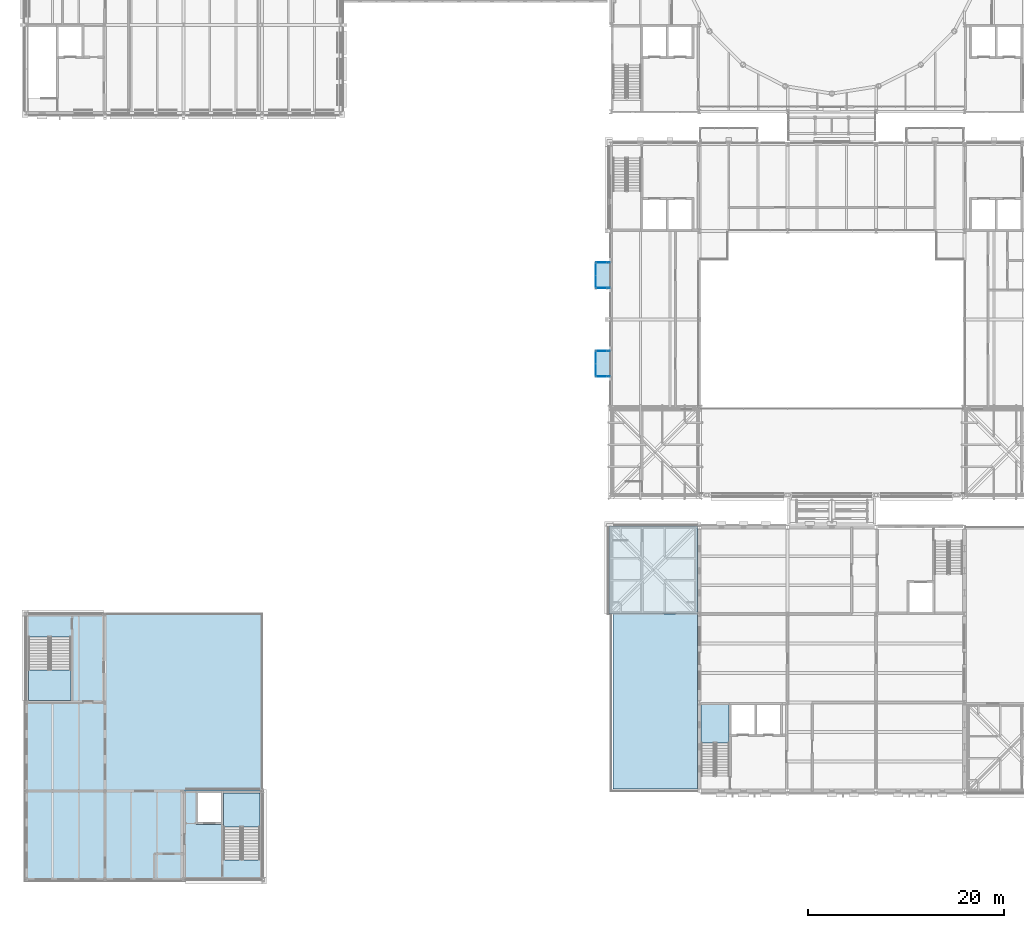
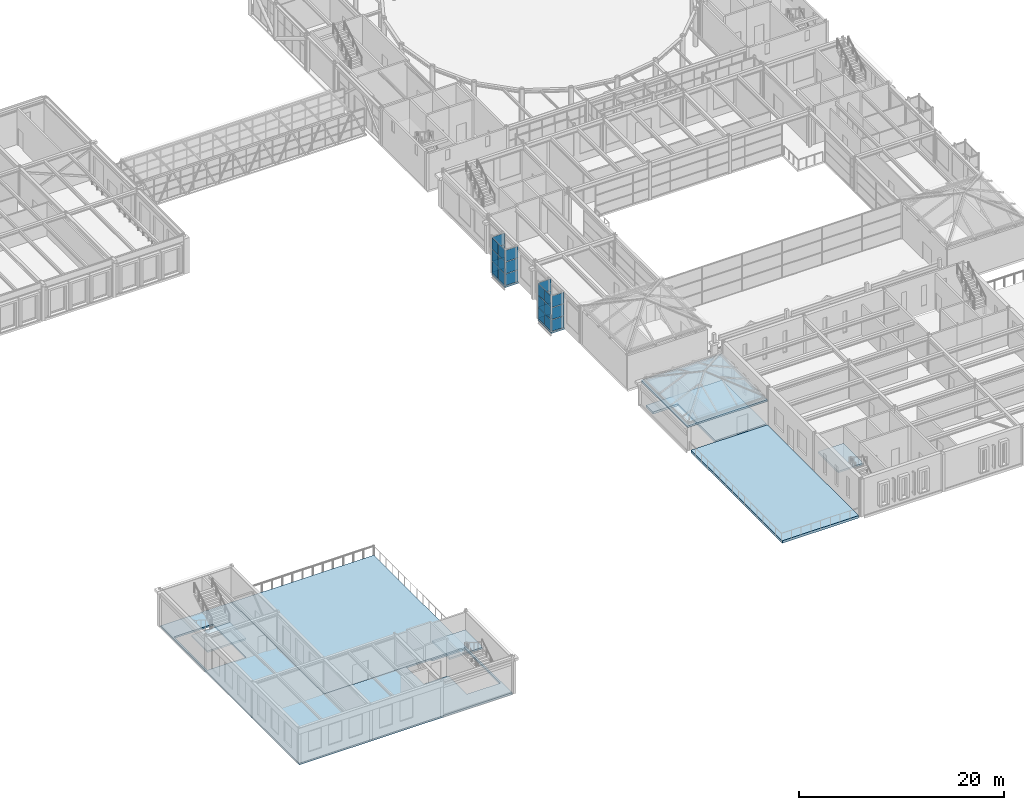
# One storey, part 76 of 149: 24 plates, 10 slabs, 9 elements without a shape of their own.
"""IFC4 building model written with IfcOpenShell, lengths in metres."""

from ifc_helpers import new_model, si_unit, direction, frame, origin, origin_2d, place, context, subcontext, project, spatial, polyline, rectangle, outline, extrude, material, layer, layer_set, type_object, element, aggregate, save


model = new_model("IFC4")

# Units and contexts
model_context = context("Model", 3, precision=1e-05, world=origin(), true_north=direction((0.0, 1.0)))
body_context = subcontext(model_context, "Body", "Model", "MODEL_VIEW")
ifc_project = project(units=[si_unit("LENGTHUNIT", "METRE"), si_unit("AREAUNIT", "SQUARE_METRE"), si_unit("VOLUMEUNIT", "CUBIC_METRE"), si_unit("PLANEANGLEUNIT", "RADIAN"), si_unit("MASSUNIT", "GRAM", prefix="KILO")], contexts=[model_context])

# Site, building, storey
site_placement = place(None, origin())
site = spatial("IfcSite", under=ifc_project, at=site_placement, CompositionType="ELEMENT")
building_placement = place(site_placement, origin())
building = spatial("IfcBuilding", under=site, at=building_placement, Name="Kallimachos Central Library", CompositionType="ELEMENT")
storey_placement = place(building_placement, frame((0.0, 0.0, 9.89990234375)))
storey = spatial("IfcBuildingStorey", under=building, at=storey_placement, Name="L02", CompositionType="ELEMENT", Elevation=9.89990234375)

# Slabs
ifc_material_1 = material(Name="Composite slab C30/37 on steel deck", Category="concrete")
ifc_layer_1 = layer(ifc_material_1, 0.199951171875)
ifc_layer_set_1 = layer_set([ifc_layer_1], Name="Composite floor slab 200")
slab_type_1 = type_object("IfcSlabType", Name="Composite floor slab 200", PredefinedType="FLOOR", material=ifc_layer_set_1)
slab_1_placement = place(storey_placement, frame((0.0, 0.0, -0.199951171875)))
element("IfcSlab", 1, at=slab_1_placement, inside=storey, type_object=slab_type_1, Name="V6-SLB-L02-001", PredefinedType="FLOOR", context=body_context, shape_type="SweptSolid", body=[
    extrude(outline(polyline([(23.25, 18.0), (23.25, 14.60009765625), (26.050048828125, 14.60009765625), (26.050048828125, 11.00390625), (29.800048828125, 11.00390625), (29.800048828125, 17.800048828125), (26.050048828125, 17.800048828125), (26.050048828125, 18.0), (30.0, 18.0), (30.0, 9.0), (6.0, 9.0), (6.0, 36.0), (14.0, 36.0), (14.0, 18.0), (23.25, 18.0)]), holes=[polyline([(10.550048828125, 33.696044921875), (6.199951171875, 33.696044921875), (6.199951171875, 27.199951171875), (10.550048828125, 27.199951171875), (10.550048828125, 33.696044921875)])]), origin(), (0.0, 0.0, 1.0), 0.199951171875),
])
ifc_material_2 = material(Name="Composite slab C30/37 on steel deck", Category="concrete")
ifc_layer_2 = layer(ifc_material_2, 0.25)
ifc_layer_set_2 = layer_set([ifc_layer_2], Name="Composite floor slab 250")
slab_type_2 = type_object("IfcSlabType", Name="Composite floor slab 250", PredefinedType="FLOOR", material=ifc_layer_set_2)
slab_2_placement = place(storey_placement, frame((0.0, 0.0, -0.25)))
element("IfcSlab", 2, at=slab_2_placement, inside=storey, type_object=slab_type_2, Name="V5-W arrival slab", PredefinedType="FLOOR", context=body_context, shape_type="SweptSolid", body=[
    extrude(outline(polyline([(65.699951171875, 44.800048828125), (74.300048828125, 44.800048828125), (74.300048828125, 36.199951171875), (68.550048828125, 36.199951171875), (68.550048828125, 43.446044921875), (65.699951171875, 43.446044921875), (65.699951171875, 44.800048828125)])), origin(), (0.0, 0.0, 1.0), 0.25),
])
ifc_material_3 = material(Name="Composite slab C30/37 on steel deck", Category="concrete")
ifc_layer_3 = layer(ifc_material_3, 0.199951171875)
ifc_layer_set_3 = layer_set([ifc_layer_3], Name="Head house roof slab 200")
slab_type_3 = type_object("IfcSlabType", Name="Head house roof slab 200", PredefinedType="ROOF", material=ifc_layer_set_3)
slab_3_placement = place(storey_placement, frame((0.0, 0.0, 2.800048828125)))
element("IfcSlab", 3, at=slab_3_placement, inside=storey, type_object=slab_type_3, Name="West stair head roof", PredefinedType="ROOF", context=body_context, shape_type="SweptSolid", body=[
    extrude(outline(polyline([(65.300048828125, 36.0), (74.300048828125, 36.0), (74.300048828125, 45.0), (65.300048828125, 45.0), (65.300048828125, 36.0)])), origin(), (0.0, 0.0, 1.0), 0.199951171875),
])
ifc_material_4 = material(Name="Composite slab C30/37 on steel deck", Category="concrete")
ifc_layer_4 = layer(ifc_material_4, 0.199951171875)
ifc_layer_set_4 = layer_set([ifc_layer_4], Name="Roof garden slab 200")
slab_type_4 = type_object("IfcSlabType", Name="Roof garden slab 200", PredefinedType="ROOF", material=ifc_layer_set_4)
slab_4_placement = place(storey_placement, frame((0.0, 0.0, -0.199951171875)))
element("IfcSlab", 4, at=slab_4_placement, inside=storey, type_object=slab_type_4, Name="Roof garden deck", PredefinedType="ROOF", context=body_context, shape_type="SweptSolid", body=[
    extrude(outline(polyline([(14.0, 18.0), (30.0, 18.0), (30.0, 36.0), (14.0, 36.0), (14.0, 18.0)])), origin(), (0.0, 0.0, 1.0), 0.199951171875),
])
ifc_material_5 = material(Name="Composite slab C30/37 on steel deck", Category="concrete")
ifc_layer_5 = layer(ifc_material_5, 0.300048828125)
ifc_layer_set_5 = layer_set([ifc_layer_5], Name="Roof garden slab 300")
slab_type_5 = type_object("IfcSlabType", Name="Roof garden slab 300", PredefinedType="ROOF", material=ifc_layer_set_5)
slab_5_placement = place(storey_placement, frame((0.0, 0.0, -0.2998046875)))
element("IfcSlab", 5, at=slab_5_placement, inside=storey, type_object=slab_type_5, Name="West roof garden slab", PredefinedType="ROOF", context=body_context, shape_type="SweptSolid", body=[
    extrude(outline(polyline([(65.699951171875, 18.199951171875), (74.300048828125, 18.199951171875), (74.300048828125, 36.0), (65.699951171875, 36.0), (65.699951171875, 18.199951171875)])), origin(), (0.0, 0.0, 1.0), 0.2998046875),
])

# Stair, slab
ifc_material_6 = material(Name="Concrete C30/37", Category="concrete")
stair_type_1 = type_object("IfcStairType", Name="Escape stair", PredefinedType="HALF_TURN_STAIR", material=ifc_material_6)
stair_1_placement = place(storey_placement, origin())
stair_1 = element("IfcStair", 6, at=stair_1_placement, inside=storey, type_object=stair_type_1, Name="L02 stair ST17", PredefinedType="HALF_TURN_STAIR")
ifc_material_7 = material(Name="Concrete C30/37", Category="concrete")
ifc_layer_6 = layer(ifc_material_7, 0.199951171875)
ifc_layer_set_6 = layer_set([ifc_layer_6], Name="Stair landing")
slab_type_6 = type_object("IfcSlabType", Name="Stair landing", PredefinedType="LANDING", material=ifc_layer_set_6)
slab_6_placement = place(storey_placement, frame((0.0, 0.0, 2.050048828125)))
slab_6 = element("IfcSlab", 7, at=slab_6_placement, type_object=slab_type_6, Name="ST17 landing 1", PredefinedType="LANDING", context=body_context, shape_type="SweptSolid", body=[
    extrude(outline(polyline([(29.800048828125, 14.360107421875), (29.800048828125, 17.800048828125), (26.050048828125, 17.800048828125), (26.050048828125, 14.360107421875), (29.800048828125, 14.360107421875)])), origin(), (0.0, 0.0, 1.0), 0.199951171875),
])
aggregate(stair_1, [slab_6])

stair_2_placement = place(storey_placement, origin())
stair_2 = element("IfcStair", 8, at=stair_2_placement, inside=storey, type_object=stair_type_1, Name="L02 stair ST18", PredefinedType="HALF_TURN_STAIR")
slab_7_placement = place(storey_placement, frame((0.0, 0.0, 2.050048828125)))
slab_7 = element("IfcSlab", 9, at=slab_7_placement, type_object=slab_type_6, Name="ST18 landing 1", PredefinedType="LANDING", context=body_context, shape_type="SweptSolid", body=[
    extrude(outline(polyline([(6.199951171875, 30.340087890625), (6.199951171875, 27.199951171875), (10.550048828125, 27.199951171875), (10.550048828125, 30.340087890625), (6.199951171875, 30.340087890625)])), origin(), (0.0, 0.0, 1.0), 0.199951171875),
])
aggregate(stair_2, [slab_7])

ifc_material_8 = material(Name="Concrete C30/37", Category="concrete")
stair_type_2 = type_object("IfcStairType", Name="Concrete stair 1350", PredefinedType="HALF_TURN_STAIR", material=ifc_material_8)
stair_3_placement = place(storey_placement, origin())
stair_3 = element("IfcStair", 10, at=stair_3_placement, inside=storey, type_object=stair_type_2, Name="L02 stair ST13", PredefinedType="HALF_TURN_STAIR")
ifc_material_9 = material(Name="Concrete C30/37", Category="concrete")
ifc_layer_7 = layer(ifc_material_9, 0.199951171875)
ifc_layer_set_7 = layer_set([ifc_layer_7], Name="Stair landing slab 200")
slab_type_7 = type_object("IfcSlabType", Name="Stair landing slab 200", PredefinedType="LANDING", material=ifc_layer_set_7)
slab_8_placement = place(storey_placement, frame((0.0, 0.0, 2.050048828125)))
slab_8 = element("IfcSlab", 11, at=slab_8_placement, type_object=slab_type_7, Name="ST13 landing 1", PredefinedType="LANDING", context=body_context, shape_type="SweptSolid", body=[
    extrude(outline(polyline([(77.550048828125, 22.909912109375), (77.550048828125, 26.800048828125), (74.699951171875, 26.800048828125), (74.699951171875, 22.909912109375), (77.550048828125, 22.909912109375)])), origin(), (0.0, 0.0, 1.0), 0.199951171875),
])
aggregate(stair_3, [slab_8])

# Slabs
ifc_material_10 = material(Name="Composite slab C30/37 on steel deck", Category="concrete")
ifc_layer_8 = layer(ifc_material_10, 0.199951171875)
ifc_layer_set_8 = layer_set([ifc_layer_8], Name="Tribune bay floor slab 200")
slab_type_8 = type_object("IfcSlabType", Name="Tribune bay floor slab 200", PredefinedType="FLOOR", material=ifc_layer_set_8)
slab_9_placement = place(storey_placement, frame((0.0, 0.0, -0.199951171875)))
element("IfcSlab", 12, at=slab_9_placement, inside=storey, type_object=slab_type_8, Name="Tribune bay W1 floor L02", PredefinedType="FLOOR", context=body_context, shape_type="SweptSolid", body=[
    extrude(outline(polyline([(65.449951171875, 60.199951171875), (65.449951171875, 62.800048828125), (63.949951171875, 62.800048828125), (63.949951171875, 60.199951171875), (65.449951171875, 60.199951171875)])), origin(), (0.0, 0.0, 1.0), 0.199951171875),
])
slab_10_placement = place(storey_placement, frame((0.0, 0.0, -0.199951171875)))
element("IfcSlab", 13, at=slab_10_placement, inside=storey, type_object=slab_type_8, Name="Tribune bay W2 floor L02", PredefinedType="FLOOR", context=body_context, shape_type="SweptSolid", body=[
    extrude(outline(polyline([(65.449951171875, 69.199951171875), (65.449951171875, 71.800048828125), (63.949951171875, 71.800048828125), (63.949951171875, 69.199951171875), (65.449951171875, 69.199951171875)])), origin(), (0.0, 0.0, 1.0), 0.199951171875),
])

# Curtain wall, plates
ifc_material_11 = material(Name="Aluminium and laminated glass", Category="aluminium")
curtain_wall_type = type_object("IfcCurtainWallType", Name="Tribune bay glazed screen", PredefinedType="NOTDEFINED", material=ifc_material_11)
curtain_wall_1_placement = place(storey_placement, origin())
curtain_wall_1 = element("IfcCurtainWall", 14, at=curtain_wall_1_placement, inside=storey, type_object=curtain_wall_type, Name="Tribune bay W1 L02 front", PredefinedType="NOTDEFINED")
ifc_material_12 = material(Name="Laminated glass", Category="glass")
ifc_layer_9 = layer(ifc_material_12, 0.028076171875)
ifc_layer_set_9 = layer_set([ifc_layer_9], Name="Tribune bay glass panel")
plate_type = type_object("IfcPlateType", Name="Tribune bay glass panel", PredefinedType="CURTAIN_PANEL", material=ifc_layer_set_9)
plate_1_placement = place(storey_placement, frame((63.949951171875, 60.864990234375, 0.06005859375), z_axis=(0.0, 0.0, 1.0), x_axis=(0.0, 1.0, 0.0)))
plate_1 = element("IfcPlate", 15, at=plate_1_placement, type_object=plate_type, Name="CW panel 1.1", PredefinedType="CURTAIN_PANEL", context=body_context, shape_type="SweptSolid", body=[
    extrude(rectangle(XDim=1.2099609375, YDim=0.028076171875, at=origin_2d()), origin(), (0.0, 0.0, 1.0), 1.34326171875),
])
plate_2_placement = place(storey_placement, frame((63.949951171875, 60.864990234375, 1.46337890625), z_axis=(0.0, 0.0, 1.0), x_axis=(0.0, 1.0, 0.0)))
plate_2 = element("IfcPlate", 16, at=plate_2_placement, type_object=plate_type, Name="CW panel 1.2", PredefinedType="CURTAIN_PANEL", context=body_context, shape_type="SweptSolid", body=[
    extrude(rectangle(XDim=1.2099609375, YDim=0.028076171875, at=origin_2d()), origin(), (0.0, 0.0, 1.0), 1.373291015625),
])
plate_3_placement = place(storey_placement, frame((63.949951171875, 60.864990234375, 2.896728515625), z_axis=(0.0, 0.0, 1.0), x_axis=(0.0, 1.0, 0.0)))
plate_3 = element("IfcPlate", 17, at=plate_3_placement, type_object=plate_type, Name="CW panel 1.3", PredefinedType="CURTAIN_PANEL", context=body_context, shape_type="SweptSolid", body=[
    extrude(rectangle(XDim=1.2099609375, YDim=0.028076171875, at=origin_2d()), origin(), (0.0, 0.0, 1.0), 1.34326171875),
])
plate_4_placement = place(storey_placement, frame((63.949951171875, 62.135009765625, 0.06005859375), z_axis=(0.0, 0.0, 1.0), x_axis=(0.0, 1.0, 0.0)))
plate_4 = element("IfcPlate", 18, at=plate_4_placement, type_object=plate_type, Name="CW panel 2.1", PredefinedType="CURTAIN_PANEL", context=body_context, shape_type="SweptSolid", body=[
    extrude(rectangle(XDim=1.2099609375, YDim=0.028076171875, at=origin_2d()), origin(), (0.0, 0.0, 1.0), 1.34326171875),
])
plate_5_placement = place(storey_placement, frame((63.949951171875, 62.135009765625, 1.46337890625), z_axis=(0.0, 0.0, 1.0), x_axis=(0.0, 1.0, 0.0)))
plate_5 = element("IfcPlate", 19, at=plate_5_placement, type_object=plate_type, Name="CW panel 2.2", PredefinedType="CURTAIN_PANEL", context=body_context, shape_type="SweptSolid", body=[
    extrude(rectangle(XDim=1.2099609375, YDim=0.028076171875, at=origin_2d()), origin(), (0.0, 0.0, 1.0), 1.373291015625),
])
plate_6_placement = place(storey_placement, frame((63.949951171875, 62.135009765625, 2.896728515625), z_axis=(0.0, 0.0, 1.0), x_axis=(0.0, 1.0, 0.0)))
plate_6 = element("IfcPlate", 20, at=plate_6_placement, type_object=plate_type, Name="CW panel 2.3", PredefinedType="CURTAIN_PANEL", context=body_context, shape_type="SweptSolid", body=[
    extrude(rectangle(XDim=1.2099609375, YDim=0.028076171875, at=origin_2d()), origin(), (0.0, 0.0, 1.0), 1.34326171875),
])
aggregate(curtain_wall_1, [plate_1, plate_2, plate_3, plate_4, plate_5, plate_6])

curtain_wall_2_placement = place(storey_placement, origin())
curtain_wall_2 = element("IfcCurtainWall", 21, at=curtain_wall_2_placement, inside=storey, type_object=curtain_wall_type, Name="Tribune bay W1 L02 return 1", PredefinedType="NOTDEFINED")
plate_7_placement = place(storey_placement, frame((64.699951171875, 60.199951171875, 0.06005859375), z_axis=(0.0, 0.0, 1.0), x_axis=(-1.0, 0.0, 0.0)))
plate_7 = element("IfcPlate", 22, at=plate_7_placement, type_object=plate_type, Name="CW panel 1.1", PredefinedType="CURTAIN_PANEL", context=body_context, shape_type="SweptSolid", body=[
    extrude(rectangle(XDim=1.3798828125, YDim=0.028076171875, at=origin_2d()), origin(), (0.0, 0.0, 1.0), 1.34326171875),
])
plate_8_placement = place(storey_placement, frame((64.699951171875, 60.199951171875, 1.46337890625), z_axis=(0.0, 0.0, 1.0), x_axis=(-1.0, 0.0, 0.0)))
plate_8 = element("IfcPlate", 23, at=plate_8_placement, type_object=plate_type, Name="CW panel 1.2", PredefinedType="CURTAIN_PANEL", context=body_context, shape_type="SweptSolid", body=[
    extrude(rectangle(XDim=1.3798828125, YDim=0.028076171875, at=origin_2d()), origin(), (0.0, 0.0, 1.0), 1.373291015625),
])
plate_9_placement = place(storey_placement, frame((64.699951171875, 60.199951171875, 2.896728515625), z_axis=(0.0, 0.0, 1.0), x_axis=(-1.0, 0.0, 0.0)))
plate_9 = element("IfcPlate", 24, at=plate_9_placement, type_object=plate_type, Name="CW panel 1.3", PredefinedType="CURTAIN_PANEL", context=body_context, shape_type="SweptSolid", body=[
    extrude(rectangle(XDim=1.3798828125, YDim=0.028076171875, at=origin_2d()), origin(), (0.0, 0.0, 1.0), 1.34326171875),
])
aggregate(curtain_wall_2, [plate_7, plate_8, plate_9])

curtain_wall_3_placement = place(storey_placement, origin())
curtain_wall_3 = element("IfcCurtainWall", 25, at=curtain_wall_3_placement, inside=storey, type_object=curtain_wall_type, Name="Tribune bay W1 L02 return 2", PredefinedType="NOTDEFINED")
plate_10_placement = place(storey_placement, frame((64.699951171875, 62.800048828125, 0.06005859375), z_axis=(0.0, 0.0, 1.0), x_axis=(-1.0, 0.0, 0.0)))
plate_10 = element("IfcPlate", 26, at=plate_10_placement, type_object=plate_type, Name="CW panel 1.1", PredefinedType="CURTAIN_PANEL", context=body_context, shape_type="SweptSolid", body=[
    extrude(rectangle(XDim=1.3798828125, YDim=0.028076171875, at=origin_2d()), origin(), (0.0, 0.0, 1.0), 1.34326171875),
])
plate_11_placement = place(storey_placement, frame((64.699951171875, 62.800048828125, 1.46337890625), z_axis=(0.0, 0.0, 1.0), x_axis=(-1.0, 0.0, 0.0)))
plate_11 = element("IfcPlate", 27, at=plate_11_placement, type_object=plate_type, Name="CW panel 1.2", PredefinedType="CURTAIN_PANEL", context=body_context, shape_type="SweptSolid", body=[
    extrude(rectangle(XDim=1.3798828125, YDim=0.028076171875, at=origin_2d()), origin(), (0.0, 0.0, 1.0), 1.373291015625),
])
plate_12_placement = place(storey_placement, frame((64.699951171875, 62.800048828125, 2.896728515625), z_axis=(0.0, 0.0, 1.0), x_axis=(-1.0, 0.0, 0.0)))
plate_12 = element("IfcPlate", 28, at=plate_12_placement, type_object=plate_type, Name="CW panel 1.3", PredefinedType="CURTAIN_PANEL", context=body_context, shape_type="SweptSolid", body=[
    extrude(rectangle(XDim=1.3798828125, YDim=0.028076171875, at=origin_2d()), origin(), (0.0, 0.0, 1.0), 1.34326171875),
])
aggregate(curtain_wall_3, [plate_10, plate_11, plate_12])

curtain_wall_4_placement = place(storey_placement, origin())
curtain_wall_4 = element("IfcCurtainWall", 29, at=curtain_wall_4_placement, inside=storey, type_object=curtain_wall_type, Name="Tribune bay W2 L02 front", PredefinedType="NOTDEFINED")
plate_13_placement = place(storey_placement, frame((63.949951171875, 69.864990234375, 0.06005859375), z_axis=(0.0, 0.0, 1.0), x_axis=(0.0, 1.0, 0.0)))
plate_13 = element("IfcPlate", 30, at=plate_13_placement, type_object=plate_type, Name="CW panel 1.1", PredefinedType="CURTAIN_PANEL", context=body_context, shape_type="SweptSolid", body=[
    extrude(rectangle(XDim=1.2099609375, YDim=0.028076171875, at=origin_2d()), origin(), (0.0, 0.0, 1.0), 1.34326171875),
])
plate_14_placement = place(storey_placement, frame((63.949951171875, 69.864990234375, 1.46337890625), z_axis=(0.0, 0.0, 1.0), x_axis=(0.0, 1.0, 0.0)))
plate_14 = element("IfcPlate", 31, at=plate_14_placement, type_object=plate_type, Name="CW panel 1.2", PredefinedType="CURTAIN_PANEL", context=body_context, shape_type="SweptSolid", body=[
    extrude(rectangle(XDim=1.2099609375, YDim=0.028076171875, at=origin_2d()), origin(), (0.0, 0.0, 1.0), 1.373291015625),
])
plate_15_placement = place(storey_placement, frame((63.949951171875, 69.864990234375, 2.896728515625), z_axis=(0.0, 0.0, 1.0), x_axis=(0.0, 1.0, 0.0)))
plate_15 = element("IfcPlate", 32, at=plate_15_placement, type_object=plate_type, Name="CW panel 1.3", PredefinedType="CURTAIN_PANEL", context=body_context, shape_type="SweptSolid", body=[
    extrude(rectangle(XDim=1.2099609375, YDim=0.028076171875, at=origin_2d()), origin(), (0.0, 0.0, 1.0), 1.34326171875),
])
plate_16_placement = place(storey_placement, frame((63.949951171875, 71.135009765625, 0.06005859375), z_axis=(0.0, 0.0, 1.0), x_axis=(0.0, 1.0, 0.0)))
plate_16 = element("IfcPlate", 33, at=plate_16_placement, type_object=plate_type, Name="CW panel 2.1", PredefinedType="CURTAIN_PANEL", context=body_context, shape_type="SweptSolid", body=[
    extrude(rectangle(XDim=1.2099609375, YDim=0.028076171875, at=origin_2d()), origin(), (0.0, 0.0, 1.0), 1.34326171875),
])
plate_17_placement = place(storey_placement, frame((63.949951171875, 71.135009765625, 1.46337890625), z_axis=(0.0, 0.0, 1.0), x_axis=(0.0, 1.0, 0.0)))
plate_17 = element("IfcPlate", 34, at=plate_17_placement, type_object=plate_type, Name="CW panel 2.2", PredefinedType="CURTAIN_PANEL", context=body_context, shape_type="SweptSolid", body=[
    extrude(rectangle(XDim=1.2099609375, YDim=0.028076171875, at=origin_2d()), origin(), (0.0, 0.0, 1.0), 1.373291015625),
])
plate_18_placement = place(storey_placement, frame((63.949951171875, 71.135009765625, 2.896728515625), z_axis=(0.0, 0.0, 1.0), x_axis=(0.0, 1.0, 0.0)))
plate_18 = element("IfcPlate", 35, at=plate_18_placement, type_object=plate_type, Name="CW panel 2.3", PredefinedType="CURTAIN_PANEL", context=body_context, shape_type="SweptSolid", body=[
    extrude(rectangle(XDim=1.2099609375, YDim=0.028076171875, at=origin_2d()), origin(), (0.0, 0.0, 1.0), 1.34326171875),
])
aggregate(curtain_wall_4, [plate_13, plate_14, plate_15, plate_16, plate_17, plate_18])

curtain_wall_5_placement = place(storey_placement, origin())
curtain_wall_5 = element("IfcCurtainWall", 36, at=curtain_wall_5_placement, inside=storey, type_object=curtain_wall_type, Name="Tribune bay W2 L02 return 1", PredefinedType="NOTDEFINED")
plate_19_placement = place(storey_placement, frame((64.699951171875, 69.199951171875, 0.06005859375), z_axis=(0.0, 0.0, 1.0), x_axis=(-1.0, 0.0, 0.0)))
plate_19 = element("IfcPlate", 37, at=plate_19_placement, type_object=plate_type, Name="CW panel 1.1", PredefinedType="CURTAIN_PANEL", context=body_context, shape_type="SweptSolid", body=[
    extrude(rectangle(XDim=1.3798828125, YDim=0.028076171875, at=origin_2d()), origin(), (0.0, 0.0, 1.0), 1.34326171875),
])
plate_20_placement = place(storey_placement, frame((64.699951171875, 69.199951171875, 1.46337890625), z_axis=(0.0, 0.0, 1.0), x_axis=(-1.0, 0.0, 0.0)))
plate_20 = element("IfcPlate", 38, at=plate_20_placement, type_object=plate_type, Name="CW panel 1.2", PredefinedType="CURTAIN_PANEL", context=body_context, shape_type="SweptSolid", body=[
    extrude(rectangle(XDim=1.3798828125, YDim=0.028076171875, at=origin_2d()), origin(), (0.0, 0.0, 1.0), 1.373291015625),
])
plate_21_placement = place(storey_placement, frame((64.699951171875, 69.199951171875, 2.896728515625), z_axis=(0.0, 0.0, 1.0), x_axis=(-1.0, 0.0, 0.0)))
plate_21 = element("IfcPlate", 39, at=plate_21_placement, type_object=plate_type, Name="CW panel 1.3", PredefinedType="CURTAIN_PANEL", context=body_context, shape_type="SweptSolid", body=[
    extrude(rectangle(XDim=1.3798828125, YDim=0.028076171875, at=origin_2d()), origin(), (0.0, 0.0, 1.0), 1.34326171875),
])
aggregate(curtain_wall_5, [plate_19, plate_20, plate_21])

curtain_wall_6_placement = place(storey_placement, origin())
curtain_wall_6 = element("IfcCurtainWall", 40, at=curtain_wall_6_placement, inside=storey, type_object=curtain_wall_type, Name="Tribune bay W2 L02 return 2", PredefinedType="NOTDEFINED")
plate_22_placement = place(storey_placement, frame((64.699951171875, 71.800048828125, 0.06005859375), z_axis=(0.0, 0.0, 1.0), x_axis=(-1.0, 0.0, 0.0)))
plate_22 = element("IfcPlate", 41, at=plate_22_placement, type_object=plate_type, Name="CW panel 1.1", PredefinedType="CURTAIN_PANEL", context=body_context, shape_type="SweptSolid", body=[
    extrude(rectangle(XDim=1.3798828125, YDim=0.028076171875, at=origin_2d()), origin(), (0.0, 0.0, 1.0), 1.34326171875),
])
plate_23_placement = place(storey_placement, frame((64.699951171875, 71.800048828125, 1.46337890625), z_axis=(0.0, 0.0, 1.0), x_axis=(-1.0, 0.0, 0.0)))
plate_23 = element("IfcPlate", 42, at=plate_23_placement, type_object=plate_type, Name="CW panel 1.2", PredefinedType="CURTAIN_PANEL", context=body_context, shape_type="SweptSolid", body=[
    extrude(rectangle(XDim=1.3798828125, YDim=0.028076171875, at=origin_2d()), origin(), (0.0, 0.0, 1.0), 1.373291015625),
])
plate_24_placement = place(storey_placement, frame((64.699951171875, 71.800048828125, 2.896728515625), z_axis=(0.0, 0.0, 1.0), x_axis=(-1.0, 0.0, 0.0)))
plate_24 = element("IfcPlate", 43, at=plate_24_placement, type_object=plate_type, Name="CW panel 1.3", PredefinedType="CURTAIN_PANEL", context=body_context, shape_type="SweptSolid", body=[
    extrude(rectangle(XDim=1.3798828125, YDim=0.028076171875, at=origin_2d()), origin(), (0.0, 0.0, 1.0), 1.34326171875),
])
aggregate(curtain_wall_6, [plate_22, plate_23, plate_24])

save(model, "model.ifc")
